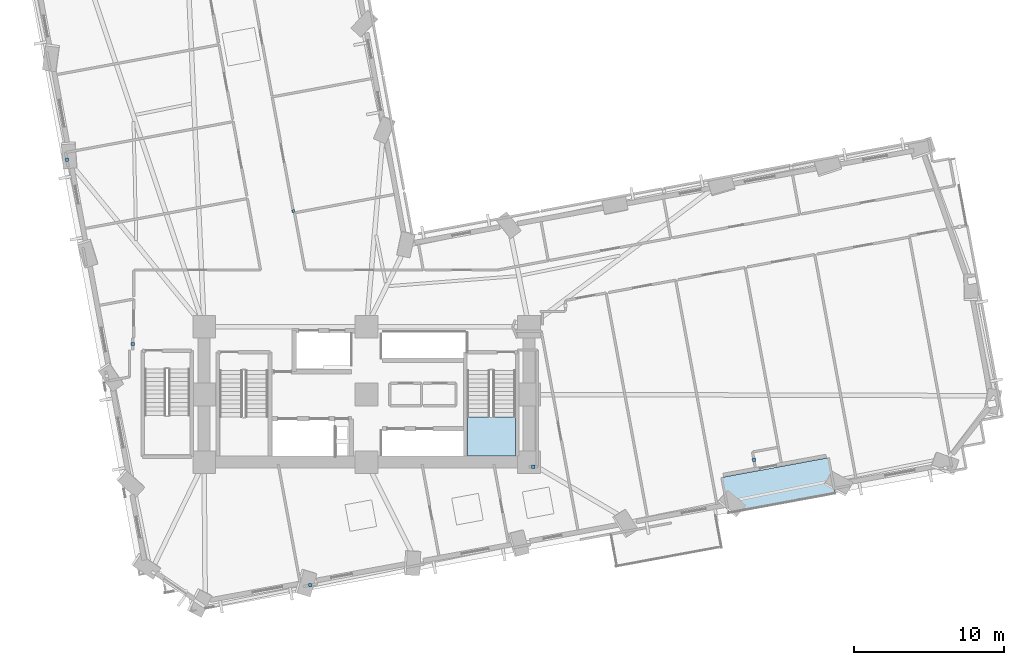
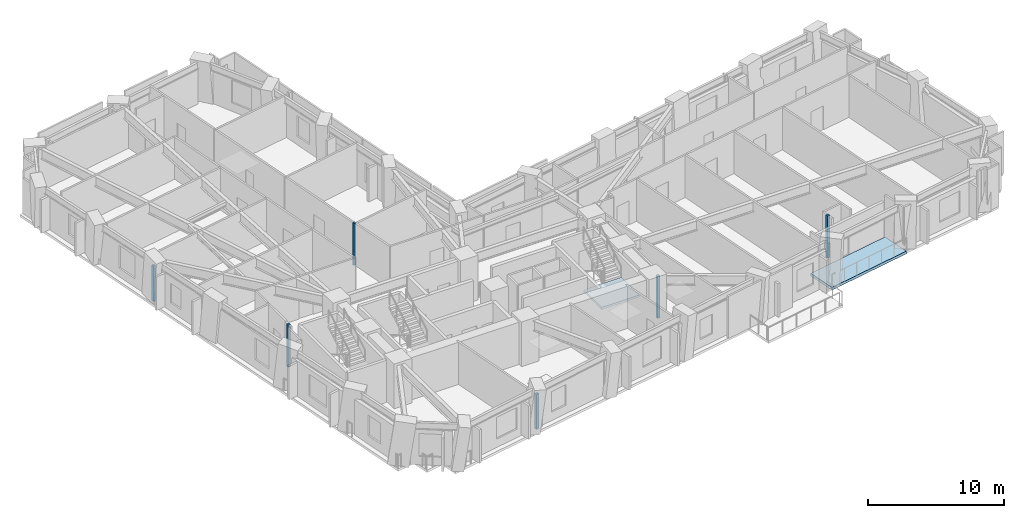
# One storey, part 3 of 16: 6 plates, 2 slabs, 1 element without a shape of its own.
"""IFC4 building model written with IfcOpenShell, lengths in metres."""

from ifc_helpers import new_model, si_unit, direction, frame, origin, origin_2d, place, context, subcontext, project, spatial, polyline, rectangle, outline, extrude, material, layer, layer_set, type_object, element, aggregate, save


model = new_model("IFC4")

# Units and contexts
model_context = context("Model", 3, precision=1e-05, world=origin(), true_north=direction((0.0, 1.0)))
body_context = subcontext(model_context, "Body", "Model", "MODEL_VIEW")
ifc_project = project(units=[si_unit("LENGTHUNIT", "METRE"), si_unit("AREAUNIT", "SQUARE_METRE"), si_unit("VOLUMEUNIT", "CUBIC_METRE"), si_unit("PLANEANGLEUNIT", "RADIAN"), si_unit("MASSUNIT", "GRAM", prefix="KILO")], contexts=[model_context])

# Site, building, storey
site_placement = place(None, origin())
site = spatial("IfcSite", under=ifc_project, at=site_placement, CompositionType="ELEMENT")
building_placement = place(site_placement, origin())
building = spatial("IfcBuilding", under=site, at=building_placement, Name="Gaonmaruhae Medical Tower", CompositionType="ELEMENT")
storey_placement = place(building_placement, frame((0.0, 0.0, 67.0)))
storey = spatial("IfcBuildingStorey", under=building, at=storey_placement, Name="L15", CompositionType="ELEMENT", Elevation=67.0)

# Plates
ifc_material_1 = material(Name="Anodised aluminium 6063-T6", Category="aluminium")
ifc_layer_1 = layer(ifc_material_1, 0.011962890625)
ifc_layer_set_1 = layer_set([ifc_layer_1], Name="Anodised aluminium 6063-T6")
plate_type = type_object("IfcPlateType", Name="PP-01 Interior Partition Corner Stiffener Plate", PredefinedType="SHEET", material=ifc_layer_set_1)
plate_1_placement = place(storey_placement, frame((19.928466796875, 24.495361328125, 0.0), z_axis=(0.0, 0.0, 1.0), x_axis=(-0.181411731933, 0.98340723178, 0.0)))
element("IfcPlate", 1, at=plate_1_placement, inside=storey, type_object=plate_type, Name="L15 Partition End Jamb Post Plate PLT-L15-ENDP-PW091-0", PredefinedType="SHEET", context=body_context, shape_type="SweptSolid", body=[
    extrude(rectangle(XDim=0.179931640625, YDim=0.179931640625, at=origin_2d()), origin(), (0.0, 0.0, 1.0), 3.780029296875),
])
plate_2_placement = place(storey_placement, frame((21.05908203125, -0.37255859375, 0.0), z_axis=(0.0, 0.0, 1.0), x_axis=(-0.983343847228, -0.181754994756, 0.0)))
element("IfcPlate", 2, at=plate_2_placement, inside=storey, type_object=plate_type, Name="L15 Partition Corner Stiffener Plate PLT-L15-JGP-PW010", PredefinedType="SHEET", context=body_context, shape_type="SweptSolid", body=[
    extrude(rectangle(XDim=0.219970703125, YDim=0.219970703125, at=origin_2d()), origin(), (0.0, 0.0, 1.0), 3.1650390625),
])
for number, where, z_axis, x_axis, name in (
    (3, (35.875, 7.5, 0.0), (0.0, 0.0, 1.0), (1.0, 0.0, 0.0), "L15 Partition Corner Stiffener Plate PLT-L15-JGP-PW021"),
    (4, (50.549072265625, 7.95703125, 0.0), (0.0, 0.0, 1.0), (0.180055628088, -0.983656429244, 0.0), "L15 Partition Corner Stiffener Plate PLT-L15-JGP-PW034"),
    (5, (9.260009765625, 15.653076171875, 0.0), (0.0, 0.0, 1.0), (0.0, -1.0, 0.0), "L15 Partition Corner Stiffener Plate PLT-L15-JGP-PW043"),
):
    element("IfcPlate", number, at=place(storey_placement, frame(where, z_axis=z_axis, x_axis=x_axis)), inside=storey, type_object=plate_type, Name=name, PredefinedType="SHEET", context=body_context, shape_type="SweptSolid", body=[
        extrude(rectangle(XDim=0.219970703125, YDim=0.219970703125, at=origin_2d()), origin(), (0.0, 0.0, 1.0), 3.780029296875),
    ])
plate_3_placement = place(storey_placement, frame((4.881103515625, 27.901611328125, 0.0), z_axis=(0.0, 0.0, 1.0), x_axis=(-0.181394568212, 0.983410397862, 0.0)))
element("IfcPlate", 6, at=plate_3_placement, inside=storey, type_object=plate_type, Name="L15 Partition Corner Stiffener Plate PLT-L15-JGP-PW056", PredefinedType="SHEET", context=body_context, shape_type="SweptSolid", body=[
    extrude(rectangle(XDim=0.219970703125, YDim=0.219970703125, at=origin_2d()), origin(), (0.0, 0.0, 1.0), 3.1650390625),
])

# Stair, slab
ifc_material_2 = material(Name="Concrete C40/50", Category="concrete")
stair_type = type_object("IfcStairType", Name="ST-T1 Primary Core Escape Dogleg Stair", PredefinedType="TWO_QUARTER_TURN_STAIR", material=ifc_material_2)
stair_placement = place(storey_placement, origin())
stair = element("IfcStair", 7, at=stair_placement, inside=storey, type_object=stair_type, Name="L15 Protected Escape Stair ST-02", PredefinedType="TWO_QUARTER_TURN_STAIR")
ifc_layer_2 = layer(ifc_material_2, 0.199951171875)
ifc_layer_set_2 = layer_set([ifc_layer_2], Name="Concrete C40/50")
slab_type_1 = type_object("IfcSlabType", Name="SL-200 Stair & Ramp Intermediate Concrete Landing", PredefinedType="LANDING", material=ifc_layer_set_2)
slab_1_placement = place(storey_placement, frame((0.0, 0.0, 1.800048828125)))
slab_1 = element("IfcSlab", 8, at=slab_1_placement, type_object=slab_type_1, Name="ST-02 landing 1", PredefinedType="LANDING", context=body_context, shape_type="SweptSolid", body=[
    extrude(outline(polyline([(31.5, 10.820068359375), (31.5, 8.2041015625), (34.699951171875, 8.2041015625), (34.699951171875, 10.820068359375), (31.5, 10.820068359375)])), origin(), (0.0, 0.0, 1.0), 0.199951171875),
])
aggregate(stair, [slab_1])

# Slab
ifc_layer_3 = layer(ifc_material_2, 0.239990234375)
ifc_layer_set_3 = layer_set([ifc_layer_3], Name="Concrete C40/50")
slab_type_2 = type_object("IfcSlabType", Name="TS-240 Sky Garden & Recovery Terrace Slab", PredefinedType="FLOOR", material=ifc_layer_set_3)
slab_2_placement = place(storey_placement, frame((0.0, 0.0, -0.239990234375)))
element("IfcSlab", 9, at=slab_2_placement, inside=storey, type_object=slab_type_2, Name="L15 Outdoor Recovery Terrace Slab", PredefinedType="FLOOR", context=body_context, shape_type="SweptSolid", body=[
    extrude(outline(polyline([(48.85595703125, 4.42919921875), (55.9365234375, 5.735107421875), (55.501220703125, 8.09521484375), (48.420654296875, 6.789306640625), (48.85595703125, 4.42919921875)])), origin(), (0.0, 0.0, 1.0), 0.239990234375),
])

save(model, "model.ifc")
